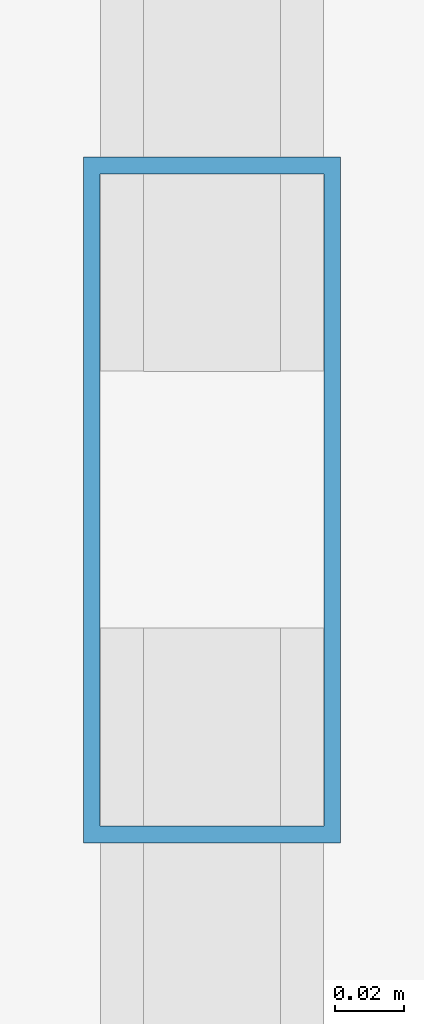
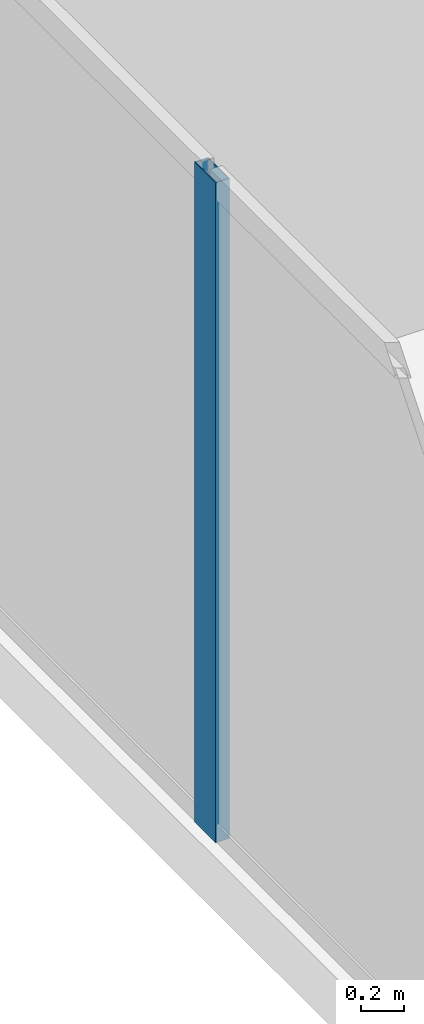
# One storey, part 8 of 31: 1 member, 1 element without a shape of its own.
"""IFC4 building model written with IfcOpenShell, lengths in metres."""

from ifc_helpers import new_model, si_unit, direction, frame, origin, origin_2d, place, context, subcontext, project, spatial, hollow_rectangle, extrude, source, transform, mapped, material, layer, layer_set, material_profile, profile_set, type_object, type_shapes, element, aggregate, save


model = new_model("IFC4")

# Units and contexts
model_context = context("Model", 3, precision=1e-05, world=origin(), true_north=direction((0.0, 1.0)))
body_context = subcontext(model_context, "Body", "Model", "MODEL_VIEW")
ifc_project = project(units=[si_unit("LENGTHUNIT", "METRE"), si_unit("AREAUNIT", "SQUARE_METRE"), si_unit("VOLUMEUNIT", "CUBIC_METRE"), si_unit("PLANEANGLEUNIT", "RADIAN"), si_unit("MASSUNIT", "GRAM", prefix="KILO")], contexts=[model_context])

# Site, building, storey
site_placement = place(None, origin())
site = spatial("IfcSite", under=ifc_project, at=site_placement, CompositionType="ELEMENT")
building_placement = place(site_placement, origin())
building = spatial("IfcBuilding", under=site, at=building_placement, Name="Haelvirn Gate Laboratories", CompositionType="ELEMENT")
storey_placement = place(building_placement, frame((0.0, 0.0, 150.199951171875)))
storey = spatial("IfcBuildingStorey", under=building, at=storey_placement, Name="L36", CompositionType="ELEMENT", Elevation=150.199951171875)

# Curtain wall, member
ifc_material_1 = material(Name="Anodised bronze unitised aluminium & triple low-E glass", Category="aluminium")
ifc_layer = layer(ifc_material_1, 0.179931640625, Name="CW-SYS-3")
ifc_layer_set = layer_set([ifc_layer], Name="Anodised bronze unitised aluminium & triple low-E glass")
curtain_wall_type = type_object("IfcCurtainWallType", Name="CW-SYS-3", PredefinedType="NOTDEFINED", material=ifc_layer_set)
curtain_wall_placement = place(storey_placement, origin())
curtain_wall = element("IfcCurtainWall", 1, at=curtain_wall_placement, inside=storey, type_object=curtain_wall_type, Name="L36 Unitised Curtain Wall CW-L36-P0-E17", PredefinedType="NOTDEFINED")
ifc_material_2 = material(Name="Extruded aluminium 6063-T6 (anodised bronze)", Category="aluminium")
ifc_material_profile = material_profile(ifc_material_2, hollow_rectangle(XDim=0.074951171875, YDim=0.199951171875, WallThickness=0.0048828125, at=origin_2d()), Name="CWM-200x75x5")
ifc_profile_set = profile_set([ifc_material_profile], Name="Extruded aluminium 6063-T6 (anodised bronze)")
member_type = type_object("IfcMemberType", Name="CWM-T200", PredefinedType="MULLION", material=ifc_profile_set)
shared_shape = source(origin(), body_context, "Body", "SweptSolid", [
    extrude(hollow_rectangle(XDim=0.074951171875, YDim=0.199951171875, WallThickness=0.0048828125, at=origin_2d()), origin(), (0.0, 0.0, 1.0), 3.7900390625),
])
type_shapes(member_type, [shared_shape])
member_placement = place(storey_placement, frame((2.10009765625, 30.966552734375, 0.0), z_axis=(0.0, 0.0, 1.0), x_axis=(1.0, 0.0, 0.0)))
member = element("IfcMember", 2, at=member_placement, type_object=member_type, Name="CW3 mullion 2", PredefinedType="MULLION", context=body_context, shape_type="MappedRepresentation", body=[
    mapped(shared_shape, transform((0.0, 0.0, 0.0), scale=1.0)),
])
aggregate(curtain_wall, [member])

save(model, "model.ifc")
